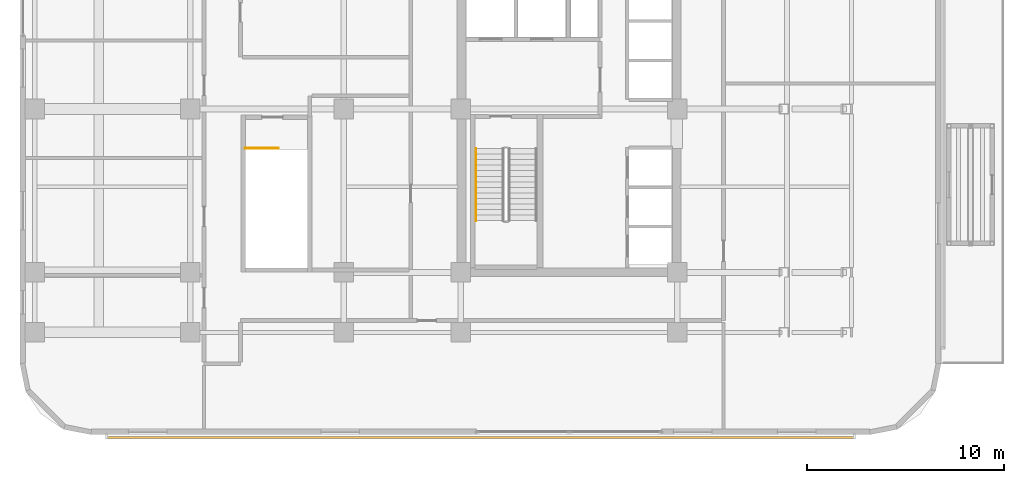
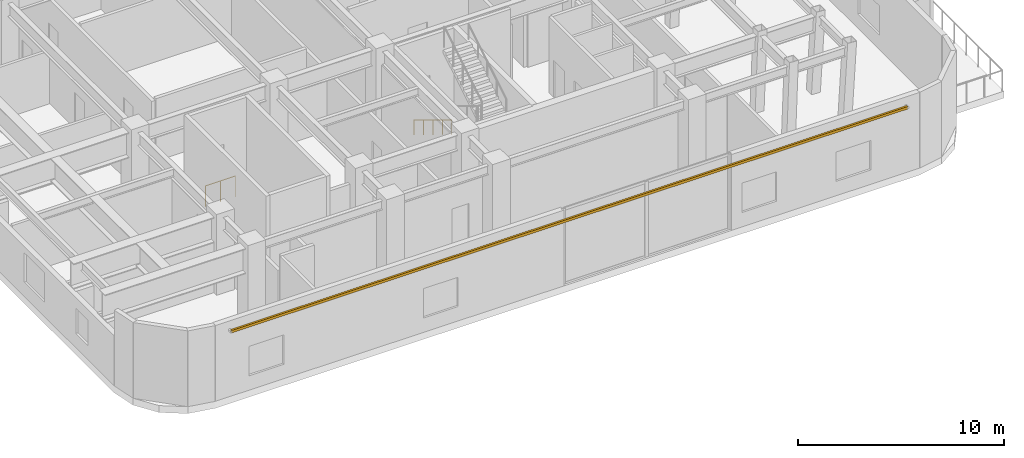
# One storey, part 15 of 18: 2 railings, 1 shading device.
"""IFC4 building model written with IfcOpenShell, lengths in metres."""

from ifc_helpers import new_model, si_unit, direction, frame, origin, origin_2d, place, context, subcontext, project, spatial, rectangle, circle, extrude, material, material_profile, profile_set, type_object, element, save


model = new_model("IFC4")

# Units and contexts
model_context = context("Model", 3, precision=1e-05, world=origin(), true_north=direction((0.0, 1.0)))
body_context = subcontext(model_context, "Body", "Model", "MODEL_VIEW")
ifc_project = project(units=[si_unit("LENGTHUNIT", "METRE"), si_unit("AREAUNIT", "SQUARE_METRE"), si_unit("VOLUMEUNIT", "CUBIC_METRE"), si_unit("PLANEANGLEUNIT", "RADIAN"), si_unit("MASSUNIT", "GRAM", prefix="KILO")], contexts=[model_context])

# Site, building, storey
site_placement = place(None, origin())
site = spatial("IfcSite", under=ifc_project, at=site_placement, CompositionType="ELEMENT")
building_placement = place(site_placement, origin())
building = spatial("IfcBuilding", under=site, at=building_placement, Name="Ochreholt Gables", CompositionType="ELEMENT")
storey_placement = place(building_placement, frame((0.0, 0.0, 19.199951171875)))
storey = spatial("IfcBuildingStorey", under=building, at=storey_placement, Name="L04", CompositionType="ELEMENT", Elevation=19.199951171875)

# Railings
ifc_material_1 = material(Name="Painted Steel Stair Guardrail", Category="steel")
railing_type_1 = type_object("IfcRailingType", Name="RL-ST-GUARD", PredefinedType="GUARDRAIL", material=ifc_material_1)
railing_1_placement = place(storey_placement, frame((13.25, 15.550048828125, 0.0)))
element("IfcRailing", 1, at=railing_1_placement, inside=storey, type_object=railing_type_1, Name="L04 ST-P1 top well guard 1", PredefinedType="GUARDRAIL", context=body_context, shape_type="SweptSolid", body=[
    extrude(circle(Radius=0.02392578125, at=origin_2d()), frame((0.0, 0.0, 1.22607421875), z_axis=(1.0, 0.0, 0.0), x_axis=(0.0, 1.0, 0.0)), (0.0, 0.0, 1.0), 1.679931640625),
    extrude(circle(Radius=0.02099609375, at=origin_2d()), origin(), (0.0, 0.0, 1.0), 1.201904296875),
    extrude(circle(Radius=0.02099609375, at=origin_2d()), frame((0.83984375, 0.0, 0.0)), (0.0, 0.0, 1.0), 1.201904296875),
    extrude(circle(Radius=0.02099609375, at=origin_2d()), frame((1.679931640625, 0.0, 0.0)), (0.0, 0.0, 1.0), 1.201904296875),
])
ifc_material_2 = material(Name="Brushed Stainless Steel Wall Handrail", Category="steel")
railing_type_2 = type_object("IfcRailingType", Name="RL-ST-HAND", PredefinedType="HANDRAIL", material=ifc_material_2)
railing_2_placement = place(storey_placement, frame((24.969970703125, 15.5400390625, 0.17138671875)))
element("IfcRailing", 2, at=railing_2_placement, inside=storey, type_object=railing_type_2, Name="L04 ST-1 stair handrail 1", PredefinedType="HANDRAIL", context=body_context, shape_type="SweptSolid", body=[
    extrude(circle(Radius=0.02392578125, at=origin_2d()), frame((0.0, 0.0, 0.8759765625), z_axis=(0.0, -0.854480833863, 0.519482920374), x_axis=(1.0, 0.0, 0.0)), (0.0, 0.0, 1.0), 4.290283203125),
    extrude(circle(Radius=0.02099609375, at=origin_2d()), origin(), (0.0, 0.0, 1.0), 0.851806640625),
    extrude(circle(Radius=0.02099609375, at=origin_2d()), frame((0.0, -0.91650390625, 0.55712890625)), (0.0, 0.0, 1.0), 0.851806640625),
    extrude(circle(Radius=0.02099609375, at=origin_2d()), frame((0.0, -1.8330078125, 1.1142578125)), (0.0, 0.0, 1.0), 0.851806640625),
    extrude(circle(Radius=0.02099609375, at=origin_2d()), frame((0.0, -2.74951171875, 1.671630859375)), (0.0, 0.0, 1.0), 0.851806640625),
    extrude(circle(Radius=0.02099609375, at=origin_2d()), frame((0.0, -3.666015625, 2.228759765625)), (0.0, 0.0, 1.0), 0.851806640625),
])

# Shading device
ifc_material_3 = material(Name="Warm Ochre Glazed Terracotta Baguette", Category="masonry")
ifc_material_profile = material_profile(ifc_material_3, rectangle(XDim=0.110107421875, YDim=0.14990234375, at=origin_2d()), Name="TCBAG110X150")
ifc_profile_set = profile_set([ifc_material_profile], Name="Warm Ochre Glazed Terracotta Baguette")
shading_device_type = type_object("IfcShadingDeviceType", Name="SHD-BAGUETTE", PredefinedType="USERDEFINED", material=ifc_profile_set)
shading_device_placement = place(storey_placement, frame((6.199951171875, 0.85009765625, 3.97998046875), z_axis=(1.0, 0.0, 0.0), x_axis=(0.0, 1.0, 0.0)))
element("IfcShadingDevice", 3, at=shading_device_placement, inside=storey, type_object=shading_device_type, Name="L04 Terracotta Baguette Screen S-1", ObjectType="BAGUETTE", PredefinedType="USERDEFINED", context=body_context, shape_type="SweptSolid", body=[
    extrude(rectangle(XDim=0.110107421875, YDim=0.14990234375, at=origin_2d()), origin(), (0.0, 0.0, 1.0), 38.0),
])

save(model, "model.ifc")
